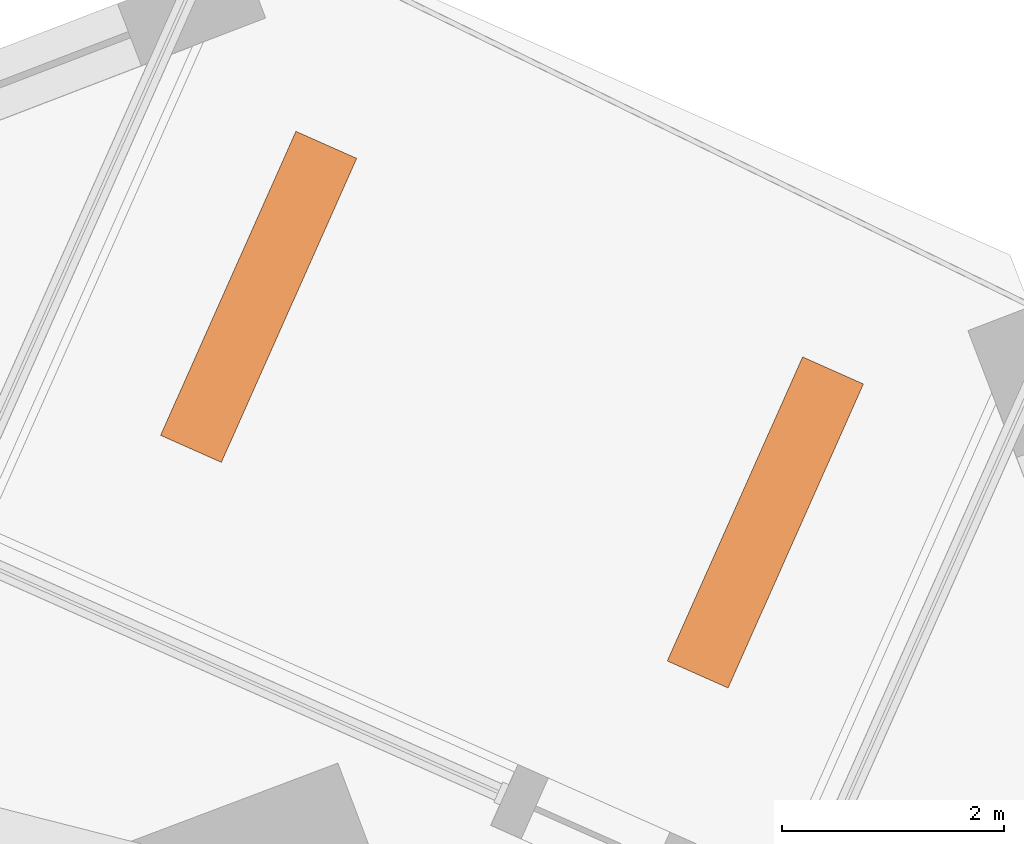
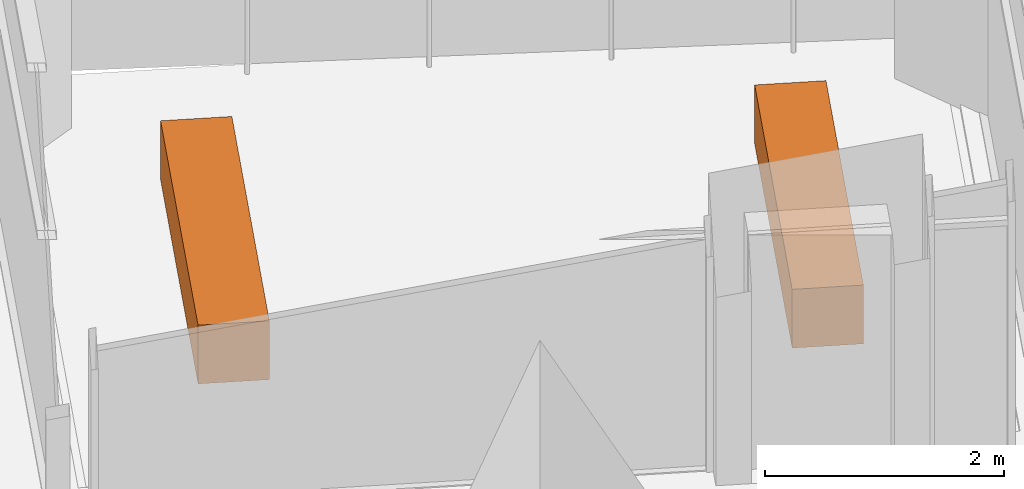
# One storey, part 14 of 14: 2 proxies.
"""IFC4 building model written with IfcOpenShell, lengths in metres."""

from ifc_helpers import new_model, si_unit, direction, frame, origin, origin_2d, place, context, subcontext, project, spatial, rectangle, extrude, element, save


model = new_model("IFC4")

# Units and contexts
model_context = context("Model", 3, precision=1e-05, world=origin(), true_north=direction((0.0, 1.0)))
body_context = subcontext(model_context, "Body", "Model", "MODEL_VIEW")
ifc_project = project(units=[si_unit("LENGTHUNIT", "METRE"), si_unit("AREAUNIT", "SQUARE_METRE"), si_unit("VOLUMEUNIT", "CUBIC_METRE"), si_unit("PLANEANGLEUNIT", "RADIAN"), si_unit("MASSUNIT", "GRAM", prefix="KILO")], contexts=[model_context])

# Site, building, storey
site_placement = place(None, origin())
site = spatial("IfcSite", under=ifc_project, at=site_placement, CompositionType="ELEMENT")
building_placement = place(site_placement, origin())
building = spatial("IfcBuilding", under=site, at=building_placement, Name="Dilmun Exchange Tower", CompositionType="ELEMENT")
storey_placement = place(building_placement, frame((0.0, 0.0, 102.10009765625)))
storey = spatial("IfcBuildingStorey", under=building, at=storey_placement, Name="L23", CompositionType="ELEMENT", Elevation=102.10009765625)

# Proxies
for number, where, z_axis, x_axis, name in (
    (1, (17.55810546875, 29.8125, -0.000244140625), (0.0, 0.0, 1.0), (0.406736643076, 0.913545457643, 0.0), "PLANTER Desert shrub L23.1"),
    (2, (12.990234375, 31.84619140625, -0.000244140625), (0.0, 0.0, 1.0), (0.406736643076, 0.913545457643, 0.0), "PLANTER Desert shrub L23.2"),
):
    element("IfcBuildingElementProxy", number, at=place(storey_placement, frame(where, z_axis=z_axis, x_axis=x_axis)), inside=storey, Name=name, ObjectType="PLANTER", PredefinedType="USERDEFINED", context=body_context, shape_type="SweptSolid", body=[
        extrude(rectangle(XDim=3.0, YDim=0.60009765625, at=origin_2d()), origin(), (0.0, 0.0, 1.0), 0.60009765625),
    ])

save(model, "model.ifc")
